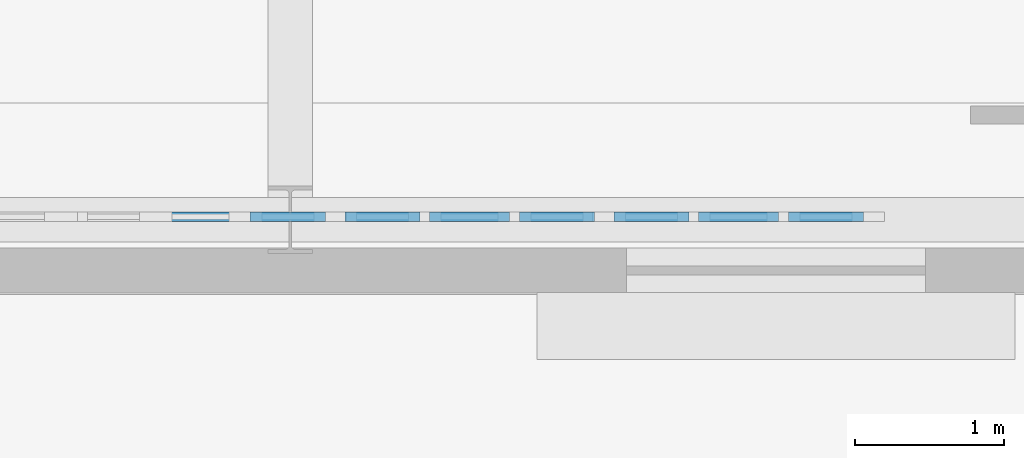
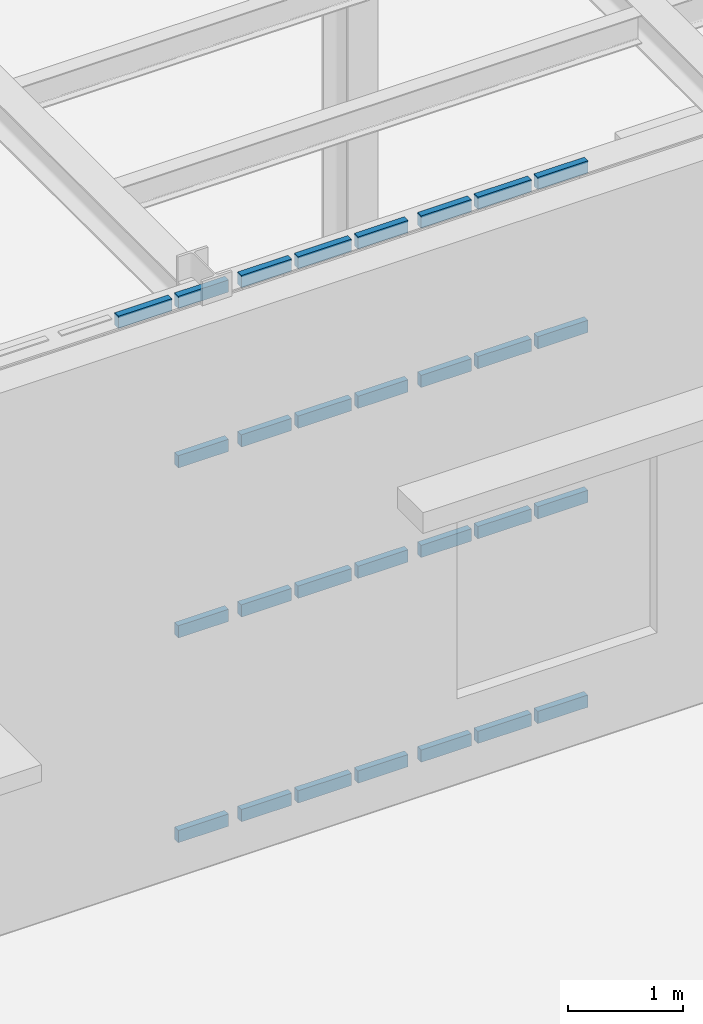
# One storey, part 57 of 118: 29 members, 3 elements without a shape of their own.
"""IFC4 building model written with IfcOpenShell, lengths in metres."""

import ifcopenshell
import ifcopenshell.guid

model = None  # the IFC model being written
_history = None  # IfcOwnerHistory: only IFC2X3 demands one
_inside = {}  # id of a spatial element -> (the spatial element, [elements in it])
_under = {}  # id of a project, library or spatial element -> (it, [spatial elements below it])
_declared = {}  # id of a project -> (the project, [libraries it declares])
_typed = {}  # id of a type object -> (the type object, [elements of that type])
_made_of = {}  # id of a material, layer set ... -> (it, [elements and type objects made of it])


def new_model(schema):
    """Start an empty IFC model of exactly this schema.

    Asked for "IFC4X3", IfcOpenShell would pick the latest addendum, in which some entities
    have other attributes; the version numbers below select the first issue.
    IFC2X3 requires an IfcOwnerHistory on every rooted entity: one is made here for all.
    """
    global model, _history
    if schema == "IFC4X3":
        model = ifcopenshell.file(schema_version=(4, 3, 0, 0))
    else:
        model = ifcopenshell.file(schema=schema)
    _inside.clear()
    _under.clear()
    _declared.clear()
    _typed.clear()
    _made_of.clear()
    _history = None
    if model.schema == "IFC2X3":
        org = make("IfcOrganization", Name="unknown")
        user = make(
            "IfcPersonAndOrganization",
            ThePerson=make("IfcPerson", FamilyName="unknown"),
            TheOrganization=org,
        )
        app = make(
            "IfcApplication",
            ApplicationDeveloper=org,
            Version="unknown",
            ApplicationFullName="unknown",
            ApplicationIdentifier="unknown",
        )
        _history = make(
            "IfcOwnerHistory",
            OwningUser=user,
            OwningApplication=app,
            ChangeAction="ADDED",
            CreationDate=0,
        )
    return model


def make(cls, **values):
    """One entity of the class cls with the attributes given. An attribute that is None is left unset."""
    return model.create_entity(
        cls, **{name: value for name, value in values.items() if value is not None}
    )


def rooted(cls, **values):
    """An entity with a GlobalId (a new one), such as an element, a storey or a relation."""
    return make(cls, GlobalId=ifcopenshell.guid.new(), OwnerHistory=_history, **values)


def si_unit(unit_type, name, prefix=None):
    """IfcSIUnit, for example si_unit("LENGTHUNIT", "METRE", prefix="MILLI")."""
    return make("IfcSIUnit", UnitType=unit_type, Prefix=prefix, Name=name)


def assignment(units):
    """IfcUnitAssignment: the units of a project."""
    return None if units is None else make("IfcUnitAssignment", Units=units)


def point(xyz):
    """IfcCartesianPoint."""
    return None if xyz is None else make("IfcCartesianPoint", Coordinates=xyz)


def direction(xyz):
    """IfcDirection."""
    return None if xyz is None else make("IfcDirection", DirectionRatios=xyz)


def frame(location, z_axis=None, x_axis=None):
    """IfcAxis2Placement3D, a coordinate frame: its origin and axes. An axis left out is left unset."""
    return make(
        "IfcAxis2Placement3D",
        Location=point(location),
        Axis=direction(z_axis),
        RefDirection=direction(x_axis),
    )


def frame_2d(location, x_axis=None):
    """IfcAxis2Placement2D, a coordinate frame in the plane: its origin and x axis."""
    return make(
        "IfcAxis2Placement2D", Location=point(location), RefDirection=direction(x_axis)
    )


def origin():
    """The frame at (0, 0, 0) with its axes left unset."""
    return frame((0.0, 0.0, 0.0))


def origin_2d():
    """The frame at (0, 0) in the plane with its x axis left unset."""
    return frame_2d((0.0, 0.0))


def place(relative_to, where):
    """IfcLocalPlacement: puts the frame where relative to a parent placement (None: the world)."""
    return make(
        "IfcLocalPlacement", PlacementRelTo=relative_to, RelativePlacement=where
    )


def context(
    kind, dimensions, precision=None, world=None, true_north=None, identifier=None
):
    """IfcGeometricRepresentationContext, for example the 3D "Model" context."""
    return make(
        "IfcGeometricRepresentationContext",
        ContextIdentifier=identifier,
        ContextType=kind,
        CoordinateSpaceDimension=dimensions,
        Precision=precision,
        WorldCoordinateSystem=world,
        TrueNorth=true_north,
    )


def subcontext(parent, identifier, kind, view, scale=None):
    """IfcGeometricRepresentationSubContext, for example "Body" below "Model"."""
    return make(
        "IfcGeometricRepresentationSubContext",
        ContextIdentifier=identifier,
        ContextType=kind,
        ParentContext=parent,
        TargetScale=scale,
        TargetView=view,
    )


def project(units=None, contexts=None):
    """IfcProject with its units and contexts."""
    return rooted(
        "IfcProject",
        Name="project",
        RepresentationContexts=contexts,
        UnitsInContext=assignment(units),
    )


def spatial(cls, under=None, at=None, **own):
    """A site, building, storey or space (cls), placed at a placement, below another one or the project."""
    s = rooted(cls, ObjectPlacement=at, **own)
    if under is not None:
        _under.setdefault(under.id(), (under, []))[1].append(s)
    return s


def profile(cls, at=None, kind="AREA", **sizes):
    """A parametric profile (cls). Its sizes go by their IFC names, for example OverallWidth=200.0."""
    return make(cls, ProfileType=kind, Position=at, **sizes)


def rectangle(**sizes):
    """IfcRectangleProfileDef."""
    return profile("IfcRectangleProfileDef", **sizes)


def extrude(swept, where, along, depth):
    """IfcExtrudedAreaSolid: the profile swept, set in the frame where, extruded along a direction by depth."""
    return make(
        "IfcExtrudedAreaSolid",
        SweptArea=swept,
        Position=where,
        ExtrudedDirection=direction(along),
        Depth=depth,
    )


def shape(context_of_items, identifier, shape_type, items):
    """IfcShapeRepresentation: the items that make up one representation, for example the "Body"."""
    return make(
        "IfcShapeRepresentation",
        ContextOfItems=context_of_items,
        RepresentationIdentifier=identifier,
        RepresentationType=shape_type,
        Items=items,
    )


def material(Name=None, Category=None):
    """IfcMaterial."""
    return make("IfcMaterial", Name=Name, Category=Category)


def material_profile(
    of_material, cross_section, Name=None, Category=None, Priority=None
):
    """IfcMaterialProfile: a cross section and its material."""
    return make(
        "IfcMaterialProfile",
        Name=Name,
        Material=of_material,
        Profile=cross_section,
        Priority=Priority,
        Category=Category,
    )


def profile_set(profiles, Name=None, composite=None):
    """IfcMaterialProfileSet."""
    return make(
        "IfcMaterialProfileSet",
        Name=Name,
        MaterialProfiles=profiles,
        CompositeProfile=composite,
    )


def made_of(thing, what):
    """Note that an element or type object is made of a material, layer set ...; save() writes the relation."""
    if what is not None:
        _made_of.setdefault(what.id(), (what, []))[1].append(thing)
    return thing


def type_object(cls, material=None, **own):
    """A type object (cls), such as IfcWallType, which elements share."""
    return made_of(rooted(cls, **own), material)


def element(
    cls,
    number,
    at=None,
    inside=None,
    cuts=None,
    type_object=None,
    material=None,
    context=None,
    identifier="Body",
    shape_type=None,
    held_by="IfcProductDefinitionShape",
    body=None,
    shapes=None,
    **own,
):
    """One element of the class cls, such as IfcWall. Its Tag is "e" and its number.

    at: its placement. inside: the storey or other place that contains it. cuts: it is an
    opening in that element (IfcRelVoidsElement). A single representation is given by context,
    identifier, shape_type and body (its items); several are given by shapes. held_by: the class
    of the entity that holds the representations. save() writes the other relations.
    """
    e = rooted(cls, Tag="e%d" % number, ObjectPlacement=at, **own)
    if body is not None:
        shapes = [shape(context, identifier, shape_type, body)]
    if shapes is not None:
        e.Representation = make(held_by, Representations=shapes)
    if inside is not None:
        _inside.setdefault(inside.id(), (inside, []))[1].append(e)
    if cuts is not None:
        rooted(
            "IfcRelVoidsElement", RelatingBuildingElement=cuts, RelatedOpeningElement=e
        )
    if type_object is not None:
        _typed.setdefault(type_object.id(), (type_object, []))[1].append(e)
    return made_of(e, material)


def aggregate(whole, parts):
    """IfcRelAggregates: a whole, such as a stair, and the parts it consists of."""
    return rooted("IfcRelAggregates", RelatingObject=whole, RelatedObjects=parts)


def save(model, path):
    """Write the relations noted so far, then the file.

    IfcRelAggregates (storeys below a building ...), IfcRelContainedInSpatialStructure (elements
    in a storey), IfcRelDefinesByType, IfcRelAssociatesMaterial and IfcRelDeclares: one each for
    every whole, place, type object, material and project.
    """
    for whole, parts in _under.values():
        aggregate(whole, parts)
    for where, things in _inside.values():
        rooted(
            "IfcRelContainedInSpatialStructure",
            RelatedElements=things,
            RelatingStructure=where,
        )
    for kind, things in _typed.values():
        rooted("IfcRelDefinesByType", RelatedObjects=things, RelatingType=kind)
    for what, things in _made_of.values():
        rooted("IfcRelAssociatesMaterial", RelatedObjects=things, RelatingMaterial=what)
    for by, libraries in _declared.values():
        rooted("IfcRelDeclares", RelatingContext=by, RelatedDefinitions=libraries)
    model.write(path)


model = new_model("IFC4")

# Units and contexts
model_context = context("Model", 3, precision=1e-05, world=origin(), true_north=direction((0.0, 1.0)))
body_context = subcontext(model_context, "Body", "Model", "MODEL_VIEW")
ifc_project = project(units=[si_unit("LENGTHUNIT", "METRE"), si_unit("AREAUNIT", "SQUARE_METRE"), si_unit("VOLUMEUNIT", "CUBIC_METRE"), si_unit("PLANEANGLEUNIT", "RADIAN"), si_unit("MASSUNIT", "GRAM", prefix="KILO")], contexts=[model_context])

# Site, building, storey
site_placement = place(None, origin())
site = spatial("IfcSite", under=ifc_project, at=site_placement, CompositionType="ELEMENT")
building_placement = place(site_placement, origin())
building = spatial("IfcBuilding", under=site, at=building_placement, Name="Kolvaren Corner Interchange", CompositionType="ELEMENT")
storey_placement = place(building_placement, origin())
storey = spatial("IfcBuildingStorey", under=building, at=storey_placement, Name="L01", CompositionType="ELEMENT", Elevation=0.0)

# Curtain wall, members
ifc_material_1 = material(Name="Unitised Aluminium and Solar-Control Glass Curtain Wall", Category="aluminium")
curtain_wall_type = type_object("IfcCurtainWallType", Name="CW-V3-CYCLE", PredefinedType="NOTDEFINED", material=ifc_material_1)
curtain_wall_1_placement = place(storey_placement, origin())
curtain_wall_1 = element("IfcCurtainWall", 1, at=curtain_wall_1_placement, inside=storey, type_object=curtain_wall_type, Name="Cycle Showcase Ground Curtain Wall Bay 06", PredefinedType="NOTDEFINED")
ifc_material_2 = material(Name="Anodised Aluminium Framing", Category="aluminium")
ifc_material_profile = material_profile(ifc_material_2, rectangle(XDim=0.06494140625, YDim=0.1298828125, at=origin_2d()), Name="ALU 65x130")
ifc_profile_set = profile_set([ifc_material_profile], Name="Anodised Aluminium Framing")
member_type = type_object("IfcMemberType", Name="TRN-ALU65x130", PredefinedType="USERDEFINED", material=ifc_profile_set)
member_1_placement = place(storey_placement, frame((77.632568359375, 84.52001953125, 5.6875), z_axis=(1.0, 0.0, 0.0), x_axis=(0.0, 1.0, 0.0)))
member_1 = element("IfcMember", 2, at=member_1_placement, type_object=member_type, Name="CW-111 transom 2.4", ObjectType="TRANSOM", PredefinedType="USERDEFINED", context=body_context, shape_type="SweptSolid", body=[
    extrude(rectangle(XDim=0.06494140625, YDim=0.1298828125, at=origin_2d()), origin(), (0.0, 0.0, 1.0), 0.534912109375),
])
member_2_placement = place(storey_placement, frame((78.232421875, 84.52001953125, 0.032470703125), z_axis=(1.0, 0.0, 0.0), x_axis=(0.0, 1.0, 0.0)))
member_2 = element("IfcMember", 3, at=member_2_placement, type_object=member_type, Name="CW-111 transom 3.1", ObjectType="TRANSOM", PredefinedType="USERDEFINED", context=body_context, shape_type="SweptSolid", body=[
    extrude(rectangle(XDim=0.06494140625, YDim=0.1298828125, at=origin_2d()), origin(), (0.0, 0.0, 1.0), 0.502685546875),
])
member_3_placement = place(storey_placement, frame((78.232421875, 84.52001953125, 2.199951171875), z_axis=(1.0, 0.0, 0.0), x_axis=(0.0, 1.0, 0.0)))
member_3 = element("IfcMember", 4, at=member_3_placement, type_object=member_type, Name="CW-111 transom 3.2", ObjectType="TRANSOM", PredefinedType="USERDEFINED", context=body_context, shape_type="SweptSolid", body=[
    extrude(rectangle(XDim=0.06494140625, YDim=0.1298828125, at=origin_2d()), origin(), (0.0, 0.0, 1.0), 0.502685546875),
])
member_4_placement = place(storey_placement, frame((78.232421875, 84.52001953125, 4.0), z_axis=(1.0, 0.0, 0.0), x_axis=(0.0, 1.0, 0.0)))
member_4 = element("IfcMember", 5, at=member_4_placement, type_object=member_type, Name="CW-111 transom 3.3", ObjectType="TRANSOM", PredefinedType="USERDEFINED", context=body_context, shape_type="SweptSolid", body=[
    extrude(rectangle(XDim=0.06494140625, YDim=0.1298828125, at=origin_2d()), origin(), (0.0, 0.0, 1.0), 0.502685546875),
])
member_5_placement = place(storey_placement, frame((78.232421875, 84.52001953125, 5.6875), z_axis=(1.0, 0.0, 0.0), x_axis=(0.0, 1.0, 0.0)))
member_5 = element("IfcMember", 6, at=member_5_placement, type_object=member_type, Name="CW-111 transom 3.4", ObjectType="TRANSOM", PredefinedType="USERDEFINED", context=body_context, shape_type="SweptSolid", body=[
    extrude(rectangle(XDim=0.06494140625, YDim=0.1298828125, at=origin_2d()), origin(), (0.0, 0.0, 1.0), 0.502685546875),
])
aggregate(curtain_wall_1, [member_1, member_2, member_3, member_4, member_5])

curtain_wall_2_placement = place(storey_placement, origin())
curtain_wall_2 = element("IfcCurtainWall", 7, at=curtain_wall_2_placement, inside=storey, type_object=curtain_wall_type, Name="Cycle Showcase Ground Curtain Wall Bay 07", PredefinedType="NOTDEFINED")
member_6_placement = place(storey_placement, frame((78.864990234375, 84.52001953125, 0.032470703125), z_axis=(1.0, 0.0, 0.0), x_axis=(0.0, 1.0, 0.0)))
member_6 = element("IfcMember", 8, at=member_6_placement, type_object=member_type, Name="CW-112 transom 1.1", ObjectType="TRANSOM", PredefinedType="USERDEFINED", context=body_context, shape_type="SweptSolid", body=[
    extrude(rectangle(XDim=0.06494140625, YDim=0.1298828125, at=origin_2d()), origin(), (0.0, 0.0, 1.0), 0.50244140625),
])
member_7_placement = place(storey_placement, frame((78.864990234375, 84.52001953125, 2.199951171875), z_axis=(1.0, 0.0, 0.0), x_axis=(0.0, 1.0, 0.0)))
member_7 = element("IfcMember", 9, at=member_7_placement, type_object=member_type, Name="CW-112 transom 1.2", ObjectType="TRANSOM", PredefinedType="USERDEFINED", context=body_context, shape_type="SweptSolid", body=[
    extrude(rectangle(XDim=0.06494140625, YDim=0.1298828125, at=origin_2d()), origin(), (0.0, 0.0, 1.0), 0.50244140625),
])
member_8_placement = place(storey_placement, frame((78.864990234375, 84.52001953125, 4.0), z_axis=(1.0, 0.0, 0.0), x_axis=(0.0, 1.0, 0.0)))
member_8 = element("IfcMember", 10, at=member_8_placement, type_object=member_type, Name="CW-112 transom 1.3", ObjectType="TRANSOM", PredefinedType="USERDEFINED", context=body_context, shape_type="SweptSolid", body=[
    extrude(rectangle(XDim=0.06494140625, YDim=0.1298828125, at=origin_2d()), origin(), (0.0, 0.0, 1.0), 0.50244140625),
])
member_9_placement = place(storey_placement, frame((78.864990234375, 84.52001953125, 5.6875), z_axis=(1.0, 0.0, 0.0), x_axis=(0.0, 1.0, 0.0)))
member_9 = element("IfcMember", 11, at=member_9_placement, type_object=member_type, Name="CW-112 transom 1.4", ObjectType="TRANSOM", PredefinedType="USERDEFINED", context=body_context, shape_type="SweptSolid", body=[
    extrude(rectangle(XDim=0.06494140625, YDim=0.1298828125, at=origin_2d()), origin(), (0.0, 0.0, 1.0), 0.50244140625),
])
member_10_placement = place(storey_placement, frame((79.4326171875, 84.52001953125, 0.032470703125), z_axis=(1.0, 0.0, 0.0), x_axis=(0.0, 1.0, 0.0)))
member_10 = element("IfcMember", 12, at=member_10_placement, type_object=member_type, Name="CW-112 transom 2.1", ObjectType="TRANSOM", PredefinedType="USERDEFINED", context=body_context, shape_type="SweptSolid", body=[
    extrude(rectangle(XDim=0.06494140625, YDim=0.1298828125, at=origin_2d()), origin(), (0.0, 0.0, 1.0), 0.534912109375),
])
member_11_placement = place(storey_placement, frame((79.4326171875, 84.52001953125, 2.199951171875), z_axis=(1.0, 0.0, 0.0), x_axis=(0.0, 1.0, 0.0)))
member_11 = element("IfcMember", 13, at=member_11_placement, type_object=member_type, Name="CW-112 transom 2.2", ObjectType="TRANSOM", PredefinedType="USERDEFINED", context=body_context, shape_type="SweptSolid", body=[
    extrude(rectangle(XDim=0.06494140625, YDim=0.1298828125, at=origin_2d()), origin(), (0.0, 0.0, 1.0), 0.534912109375),
])
member_12_placement = place(storey_placement, frame((79.4326171875, 84.52001953125, 4.0), z_axis=(1.0, 0.0, 0.0), x_axis=(0.0, 1.0, 0.0)))
member_12 = element("IfcMember", 14, at=member_12_placement, type_object=member_type, Name="CW-112 transom 2.3", ObjectType="TRANSOM", PredefinedType="USERDEFINED", context=body_context, shape_type="SweptSolid", body=[
    extrude(rectangle(XDim=0.06494140625, YDim=0.1298828125, at=origin_2d()), origin(), (0.0, 0.0, 1.0), 0.534912109375),
])
member_13_placement = place(storey_placement, frame((79.4326171875, 84.52001953125, 5.6875), z_axis=(1.0, 0.0, 0.0), x_axis=(0.0, 1.0, 0.0)))
member_13 = element("IfcMember", 15, at=member_13_placement, type_object=member_type, Name="CW-112 transom 2.4", ObjectType="TRANSOM", PredefinedType="USERDEFINED", context=body_context, shape_type="SweptSolid", body=[
    extrude(rectangle(XDim=0.06494140625, YDim=0.1298828125, at=origin_2d()), origin(), (0.0, 0.0, 1.0), 0.534912109375),
])
member_14_placement = place(storey_placement, frame((80.032470703125, 84.52001953125, 0.032470703125), z_axis=(1.0, 0.0, 0.0), x_axis=(0.0, 1.0, 0.0)))
member_14 = element("IfcMember", 16, at=member_14_placement, type_object=member_type, Name="CW-112 transom 3.1", ObjectType="TRANSOM", PredefinedType="USERDEFINED", context=body_context, shape_type="SweptSolid", body=[
    extrude(rectangle(XDim=0.06494140625, YDim=0.1298828125, at=origin_2d()), origin(), (0.0, 0.0, 1.0), 0.50244140625),
])
member_15_placement = place(storey_placement, frame((80.032470703125, 84.52001953125, 2.199951171875), z_axis=(1.0, 0.0, 0.0), x_axis=(0.0, 1.0, 0.0)))
member_15 = element("IfcMember", 17, at=member_15_placement, type_object=member_type, Name="CW-112 transom 3.2", ObjectType="TRANSOM", PredefinedType="USERDEFINED", context=body_context, shape_type="SweptSolid", body=[
    extrude(rectangle(XDim=0.06494140625, YDim=0.1298828125, at=origin_2d()), origin(), (0.0, 0.0, 1.0), 0.50244140625),
])
member_16_placement = place(storey_placement, frame((80.032470703125, 84.52001953125, 4.0), z_axis=(1.0, 0.0, 0.0), x_axis=(0.0, 1.0, 0.0)))
member_16 = element("IfcMember", 18, at=member_16_placement, type_object=member_type, Name="CW-112 transom 3.3", ObjectType="TRANSOM", PredefinedType="USERDEFINED", context=body_context, shape_type="SweptSolid", body=[
    extrude(rectangle(XDim=0.06494140625, YDim=0.1298828125, at=origin_2d()), origin(), (0.0, 0.0, 1.0), 0.50244140625),
])
member_17_placement = place(storey_placement, frame((80.032470703125, 84.52001953125, 5.6875), z_axis=(1.0, 0.0, 0.0), x_axis=(0.0, 1.0, 0.0)))
member_17 = element("IfcMember", 19, at=member_17_placement, type_object=member_type, Name="CW-112 transom 3.4", ObjectType="TRANSOM", PredefinedType="USERDEFINED", context=body_context, shape_type="SweptSolid", body=[
    extrude(rectangle(XDim=0.06494140625, YDim=0.1298828125, at=origin_2d()), origin(), (0.0, 0.0, 1.0), 0.50244140625),
])
aggregate(curtain_wall_2, [member_6, member_7, member_8, member_9, member_10, member_11, member_12, member_13, member_14, member_15, member_16, member_17])

curtain_wall_3_placement = place(storey_placement, origin())
curtain_wall_3 = element("IfcCurtainWall", 20, at=curtain_wall_3_placement, inside=storey, type_object=curtain_wall_type, Name="Cycle Showcase Ground Curtain Wall Bay 08", PredefinedType="NOTDEFINED")
member_18_placement = place(storey_placement, frame((80.6650390625, 84.52001953125, 0.032470703125), z_axis=(1.0, 0.0, 0.0), x_axis=(0.0, 1.0, 0.0)))
member_18 = element("IfcMember", 21, at=member_18_placement, type_object=member_type, Name="CW-113 transom 1.1", ObjectType="TRANSOM", PredefinedType="USERDEFINED", context=body_context, shape_type="SweptSolid", body=[
    extrude(rectangle(XDim=0.06494140625, YDim=0.1298828125, at=origin_2d()), origin(), (0.0, 0.0, 1.0), 0.50244140625),
])
member_19_placement = place(storey_placement, frame((80.6650390625, 84.52001953125, 2.199951171875), z_axis=(1.0, 0.0, 0.0), x_axis=(0.0, 1.0, 0.0)))
member_19 = element("IfcMember", 22, at=member_19_placement, type_object=member_type, Name="CW-113 transom 1.2", ObjectType="TRANSOM", PredefinedType="USERDEFINED", context=body_context, shape_type="SweptSolid", body=[
    extrude(rectangle(XDim=0.06494140625, YDim=0.1298828125, at=origin_2d()), origin(), (0.0, 0.0, 1.0), 0.50244140625),
])
member_20_placement = place(storey_placement, frame((80.6650390625, 84.52001953125, 4.0), z_axis=(1.0, 0.0, 0.0), x_axis=(0.0, 1.0, 0.0)))
member_20 = element("IfcMember", 23, at=member_20_placement, type_object=member_type, Name="CW-113 transom 1.3", ObjectType="TRANSOM", PredefinedType="USERDEFINED", context=body_context, shape_type="SweptSolid", body=[
    extrude(rectangle(XDim=0.06494140625, YDim=0.1298828125, at=origin_2d()), origin(), (0.0, 0.0, 1.0), 0.50244140625),
])
member_21_placement = place(storey_placement, frame((80.6650390625, 84.52001953125, 5.6875), z_axis=(1.0, 0.0, 0.0), x_axis=(0.0, 1.0, 0.0)))
member_21 = element("IfcMember", 24, at=member_21_placement, type_object=member_type, Name="CW-113 transom 1.4", ObjectType="TRANSOM", PredefinedType="USERDEFINED", context=body_context, shape_type="SweptSolid", body=[
    extrude(rectangle(XDim=0.06494140625, YDim=0.1298828125, at=origin_2d()), origin(), (0.0, 0.0, 1.0), 0.50244140625),
])
member_22_placement = place(storey_placement, frame((81.232421875, 84.52001953125, 0.032470703125), z_axis=(1.0, 0.0, 0.0), x_axis=(0.0, 1.0, 0.0)))
member_22 = element("IfcMember", 25, at=member_22_placement, type_object=member_type, Name="CW-113 transom 2.1", ObjectType="TRANSOM", PredefinedType="USERDEFINED", context=body_context, shape_type="SweptSolid", body=[
    extrude(rectangle(XDim=0.06494140625, YDim=0.1298828125, at=origin_2d()), origin(), (0.0, 0.0, 1.0), 0.53515625),
])
member_23_placement = place(storey_placement, frame((81.232421875, 84.52001953125, 2.199951171875), z_axis=(1.0, 0.0, 0.0), x_axis=(0.0, 1.0, 0.0)))
member_23 = element("IfcMember", 26, at=member_23_placement, type_object=member_type, Name="CW-113 transom 2.2", ObjectType="TRANSOM", PredefinedType="USERDEFINED", context=body_context, shape_type="SweptSolid", body=[
    extrude(rectangle(XDim=0.06494140625, YDim=0.1298828125, at=origin_2d()), origin(), (0.0, 0.0, 1.0), 0.53515625),
])
member_24_placement = place(storey_placement, frame((81.232421875, 84.52001953125, 4.0), z_axis=(1.0, 0.0, 0.0), x_axis=(0.0, 1.0, 0.0)))
member_24 = element("IfcMember", 27, at=member_24_placement, type_object=member_type, Name="CW-113 transom 2.3", ObjectType="TRANSOM", PredefinedType="USERDEFINED", context=body_context, shape_type="SweptSolid", body=[
    extrude(rectangle(XDim=0.06494140625, YDim=0.1298828125, at=origin_2d()), origin(), (0.0, 0.0, 1.0), 0.53515625),
])
member_25_placement = place(storey_placement, frame((81.232421875, 84.52001953125, 5.6875), z_axis=(1.0, 0.0, 0.0), x_axis=(0.0, 1.0, 0.0)))
member_25 = element("IfcMember", 28, at=member_25_placement, type_object=member_type, Name="CW-113 transom 2.4", ObjectType="TRANSOM", PredefinedType="USERDEFINED", context=body_context, shape_type="SweptSolid", body=[
    extrude(rectangle(XDim=0.06494140625, YDim=0.1298828125, at=origin_2d()), origin(), (0.0, 0.0, 1.0), 0.53515625),
])
member_26_placement = place(storey_placement, frame((81.83251953125, 84.52001953125, 0.032470703125), z_axis=(1.0, 0.0, 0.0), x_axis=(0.0, 1.0, 0.0)))
member_26 = element("IfcMember", 29, at=member_26_placement, type_object=member_type, Name="CW-113 transom 3.1", ObjectType="TRANSOM", PredefinedType="USERDEFINED", context=body_context, shape_type="SweptSolid", body=[
    extrude(rectangle(XDim=0.06494140625, YDim=0.1298828125, at=origin_2d()), origin(), (0.0, 0.0, 1.0), 0.50244140625),
])
member_27_placement = place(storey_placement, frame((81.83251953125, 84.52001953125, 2.199951171875), z_axis=(1.0, 0.0, 0.0), x_axis=(0.0, 1.0, 0.0)))
member_27 = element("IfcMember", 30, at=member_27_placement, type_object=member_type, Name="CW-113 transom 3.2", ObjectType="TRANSOM", PredefinedType="USERDEFINED", context=body_context, shape_type="SweptSolid", body=[
    extrude(rectangle(XDim=0.06494140625, YDim=0.1298828125, at=origin_2d()), origin(), (0.0, 0.0, 1.0), 0.50244140625),
])
member_28_placement = place(storey_placement, frame((81.83251953125, 84.52001953125, 4.0), z_axis=(1.0, 0.0, 0.0), x_axis=(0.0, 1.0, 0.0)))
member_28 = element("IfcMember", 31, at=member_28_placement, type_object=member_type, Name="CW-113 transom 3.3", ObjectType="TRANSOM", PredefinedType="USERDEFINED", context=body_context, shape_type="SweptSolid", body=[
    extrude(rectangle(XDim=0.06494140625, YDim=0.1298828125, at=origin_2d()), origin(), (0.0, 0.0, 1.0), 0.50244140625),
])
member_29_placement = place(storey_placement, frame((81.83251953125, 84.52001953125, 5.6875), z_axis=(1.0, 0.0, 0.0), x_axis=(0.0, 1.0, 0.0)))
member_29 = element("IfcMember", 32, at=member_29_placement, type_object=member_type, Name="CW-113 transom 3.4", ObjectType="TRANSOM", PredefinedType="USERDEFINED", context=body_context, shape_type="SweptSolid", body=[
    extrude(rectangle(XDim=0.06494140625, YDim=0.1298828125, at=origin_2d()), origin(), (0.0, 0.0, 1.0), 0.50244140625),
])
aggregate(curtain_wall_3, [member_18, member_19, member_20, member_21, member_22, member_23, member_24, member_25, member_26, member_27, member_28, member_29])

save(model, "model.ifc")
